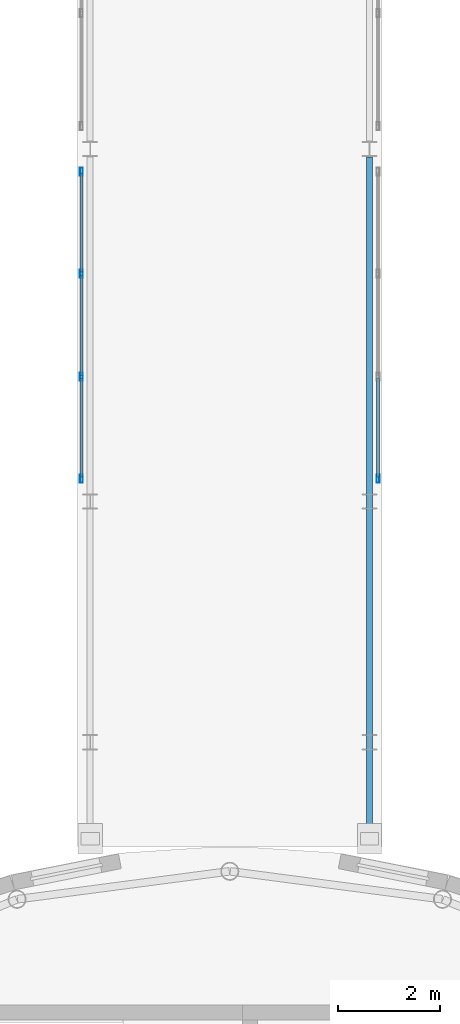
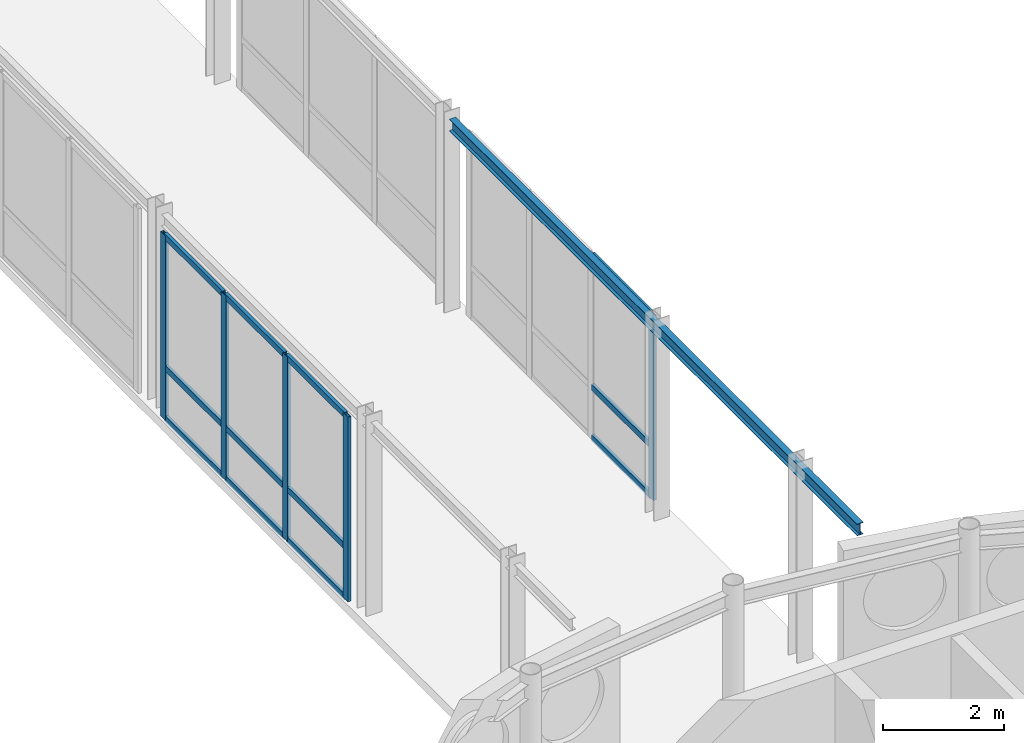
# One storey, part 58 of 165: 17 members, 1 beam, 2 elements without a shape of their own.
"""IFC4 building model written with IfcOpenShell, lengths in metres."""

from ifc_helpers import new_model, si_unit, direction, frame, origin, origin_2d, place, context, subcontext, project, spatial, hollow_rectangle, i_section, extrude, material, layer, layer_set, material_profile, profile_set, type_object, element, aggregate, save


model = new_model("IFC4")

# Units and contexts
model_context = context("Model", 3, precision=1e-05, world=origin(), true_north=direction((0.0, 1.0)))
body_context = subcontext(model_context, "Body", "Model", "MODEL_VIEW")
ifc_project = project(units=[si_unit("LENGTHUNIT", "METRE"), si_unit("AREAUNIT", "SQUARE_METRE"), si_unit("VOLUMEUNIT", "CUBIC_METRE"), si_unit("PLANEANGLEUNIT", "RADIAN"), si_unit("MASSUNIT", "GRAM", prefix="KILO")], contexts=[model_context])

# Site, building, storey
site_placement = place(None, origin())
site = spatial("IfcSite", under=ifc_project, at=site_placement, CompositionType="ELEMENT")
building_placement = place(site_placement, origin())
building = spatial("IfcBuilding", under=site, at=building_placement, Name="Montecoro Central Library", CompositionType="ELEMENT")
storey_placement = place(building_placement, frame((0.0, 0.0, 5.10009765625)))
storey = spatial("IfcBuildingStorey", under=building, at=storey_placement, Name="L01", CompositionType="ELEMENT", Elevation=5.10009765625)

# Beam
ifc_material_1 = material(Name="Steel S355", Category="steel")
ifc_material_profile_1 = material_profile(ifc_material_1, i_section(OverallWidth=0.1201171875, OverallDepth=0.239990234375, WebThickness=0.006103515625, FlangeThickness=0.009765625, at=origin_2d()), Name="IPE 240")
ifc_profile_set_1 = profile_set([ifc_material_profile_1], Name="Steel S355")
beam_type = type_object("IfcBeamType", Name="BM-SP-IPE240", PredefinedType="SPANDREL", material=ifc_profile_set_1)
beam_placement = place(storey_placement, frame((94.35009765625, 52.139892578125, 3.77490234375), z_axis=(0.0, 1.0, 0.0), x_axis=(-1.0, 0.0, 0.0)))
element("IfcBeam", 1, at=beam_placement, inside=storey, type_object=beam_type, Name="BR-N-L02-BM-E1", PredefinedType="SPANDREL", context=body_context, shape_type="SweptSolid", body=[
    extrude(i_section(OverallWidth=0.1201171875, OverallDepth=0.239990234375, WebThickness=0.006103515625, FlangeThickness=0.009765625, at=origin_2d()), origin(), (0.0, 0.0, 1.0), 13.5),
])

# Curtain wall, members
ifc_material_2 = material(Name="Bronze-anodised aluminium and low-E glazing", Category="aluminium")
ifc_layer = layer(ifc_material_2, 0.159912109375)
ifc_layer_set = layer_set([ifc_layer], Name="Bronze-anodised aluminium and low-E glazing")
curtain_wall_type = type_object("IfcCurtainWallType", Name="CWT-075", PredefinedType="NOTDEFINED", material=ifc_layer_set)
curtain_wall_1_placement = place(storey_placement, origin())
curtain_wall_1 = element("IfcCurtainWall", 2, at=curtain_wall_1_placement, inside=storey, type_object=curtain_wall_type, Name="BR-N-L01-CW-W1", PredefinedType="NOTDEFINED")
ifc_material_3 = material(Name="Bronze-anodised aluminium", Category="aluminium")
ifc_material_profile_2 = material_profile(ifc_material_3, hollow_rectangle(XDim=0.06005859375, YDim=0.159912109375, WallThickness=0.00390625, at=origin_2d()), Name="CWM 160x60x4.0")
ifc_profile_set_2 = profile_set([ifc_material_profile_2], Name="Bronze-anodised aluminium")
member_type_1 = type_object("IfcMemberType", Name="CWM-BRZ-60", PredefinedType="MULLION", material=ifc_profile_set_2)
member_1_placement = place(storey_placement, frame((88.679931640625, 59.31005859375, 0.0), z_axis=(0.0, 0.0, 1.0), x_axis=(-1.0, 0.0, 0.0)))
member_1 = element("IfcMember", 3, at=member_1_placement, type_object=member_type_1, Name="CW-075 mullion 1", PredefinedType="MULLION", context=body_context, shape_type="SweptSolid", body=[
    extrude(hollow_rectangle(XDim=0.06005859375, YDim=0.159912109375, WallThickness=0.00390625, at=origin_2d()), origin(), (0.0, 0.0, 1.0), 3.72998046875),
])
member_2_placement = place(storey_placement, frame((88.679931640625, 61.313232421875, 0.0), z_axis=(0.0, 0.0, 1.0), x_axis=(-1.0, 0.0, 0.0)))
member_2 = element("IfcMember", 4, at=member_2_placement, type_object=member_type_1, Name="CW-075 mullion 2", PredefinedType="MULLION", context=body_context, shape_type="SweptSolid", body=[
    extrude(hollow_rectangle(XDim=0.06005859375, YDim=0.159912109375, WallThickness=0.00390625, at=origin_2d()), origin(), (0.0, 0.0, 1.0), 3.72998046875),
])
member_3_placement = place(storey_placement, frame((88.679931640625, 63.3466796875, 0.0), z_axis=(0.0, 0.0, 1.0), x_axis=(-1.0, 0.0, 0.0)))
member_3 = element("IfcMember", 5, at=member_3_placement, type_object=member_type_1, Name="CW-075 mullion 3", PredefinedType="MULLION", context=body_context, shape_type="SweptSolid", body=[
    extrude(hollow_rectangle(XDim=0.06005859375, YDim=0.159912109375, WallThickness=0.00390625, at=origin_2d()), origin(), (0.0, 0.0, 1.0), 3.72998046875),
])
member_4_placement = place(storey_placement, frame((88.679931640625, 65.35009765625, 0.0), z_axis=(0.0, 0.0, 1.0), x_axis=(-1.0, 0.0, 0.0)))
member_4 = element("IfcMember", 6, at=member_4_placement, type_object=member_type_1, Name="CW-075 mullion 4", PredefinedType="MULLION", context=body_context, shape_type="SweptSolid", body=[
    extrude(hollow_rectangle(XDim=0.06005859375, YDim=0.159912109375, WallThickness=0.00390625, at=origin_2d()), origin(), (0.0, 0.0, 1.0), 3.72998046875),
])

# Curtain wall, member
curtain_wall_2_placement = place(storey_placement, origin())
curtain_wall_2 = element("IfcCurtainWall", 7, at=curtain_wall_2_placement, inside=storey, type_object=curtain_wall_type, Name="BR-N-L01-CW-E1", PredefinedType="NOTDEFINED")
member_5_placement = place(storey_placement, frame((94.52001953125, 59.31005859375, 0.0), z_axis=(0.0, 0.0, 1.0), x_axis=(-1.0, 0.0, 0.0)))
member_5 = element("IfcMember", 8, at=member_5_placement, type_object=member_type_1, Name="CW-075 mullion 1", PredefinedType="MULLION", context=body_context, shape_type="SweptSolid", body=[
    extrude(hollow_rectangle(XDim=0.06005859375, YDim=0.159912109375, WallThickness=0.00390625, at=origin_2d()), origin(), (0.0, 0.0, 1.0), 3.72998046875),
])

# Member
ifc_material_profile_3 = material_profile(ifc_material_3, hollow_rectangle(XDim=0.06005859375, YDim=0.1201171875, WallThickness=0.00390625, at=origin_2d()), Name="CWT 120x60x4.0")
ifc_profile_set_3 = profile_set([ifc_material_profile_3], Name="Bronze-anodised aluminium")
member_type_2 = type_object("IfcMemberType", Name="CWT-BRZ-60", PredefinedType="USERDEFINED", material=ifc_profile_set_3)
member_6_placement = place(storey_placement, frame((88.679931640625, 59.340087890625, 0.02978515625), z_axis=(0.0, 1.0, 0.0), x_axis=(-1.0, 0.0, 0.0)))
member_6 = element("IfcMember", 9, at=member_6_placement, type_object=member_type_2, Name="CW-075 transom 1.1", ObjectType="TRANSOM", PredefinedType="USERDEFINED", context=body_context, shape_type="SweptSolid", body=[
    extrude(hollow_rectangle(XDim=0.06005859375, YDim=0.1201171875, WallThickness=0.00390625, at=origin_2d()), origin(), (0.0, 0.0, 1.0), 1.943359375),
])

member_7_placement = place(storey_placement, frame((88.679931640625, 59.340087890625, 1.0498046875), z_axis=(0.0, 1.0, 0.0), x_axis=(-1.0, 0.0, 0.0)))
member_7 = element("IfcMember", 10, at=member_7_placement, type_object=member_type_2, Name="CW-075 transom 1.2", ObjectType="TRANSOM", PredefinedType="USERDEFINED", context=body_context, shape_type="SweptSolid", body=[
    extrude(hollow_rectangle(XDim=0.06005859375, YDim=0.1201171875, WallThickness=0.00390625, at=origin_2d()), origin(), (0.0, 0.0, 1.0), 1.943359375),
])

member_8_placement = place(storey_placement, frame((88.679931640625, 59.340087890625, 3.699951171875), z_axis=(0.0, 1.0, 0.0), x_axis=(-1.0, 0.0, 0.0)))
member_8 = element("IfcMember", 11, at=member_8_placement, type_object=member_type_2, Name="CW-075 transom 1.3", ObjectType="TRANSOM", PredefinedType="USERDEFINED", context=body_context, shape_type="SweptSolid", body=[
    extrude(hollow_rectangle(XDim=0.06005859375, YDim=0.1201171875, WallThickness=0.00390625, at=origin_2d()), origin(), (0.0, 0.0, 1.0), 1.943359375),
])

member_9_placement = place(storey_placement, frame((88.679931640625, 61.34326171875, 0.02978515625), z_axis=(0.0, 1.0, 0.0), x_axis=(-1.0, 0.0, 0.0)))
member_9 = element("IfcMember", 12, at=member_9_placement, type_object=member_type_2, Name="CW-075 transom 2.1", ObjectType="TRANSOM", PredefinedType="USERDEFINED", context=body_context, shape_type="SweptSolid", body=[
    extrude(hollow_rectangle(XDim=0.06005859375, YDim=0.1201171875, WallThickness=0.00390625, at=origin_2d()), origin(), (0.0, 0.0, 1.0), 1.973388671875),
])

member_10_placement = place(storey_placement, frame((88.679931640625, 61.34326171875, 1.0498046875), z_axis=(0.0, 1.0, 0.0), x_axis=(-1.0, 0.0, 0.0)))
member_10 = element("IfcMember", 13, at=member_10_placement, type_object=member_type_2, Name="CW-075 transom 2.2", ObjectType="TRANSOM", PredefinedType="USERDEFINED", context=body_context, shape_type="SweptSolid", body=[
    extrude(hollow_rectangle(XDim=0.06005859375, YDim=0.1201171875, WallThickness=0.00390625, at=origin_2d()), origin(), (0.0, 0.0, 1.0), 1.973388671875),
])

member_11_placement = place(storey_placement, frame((88.679931640625, 61.34326171875, 3.699951171875), z_axis=(0.0, 1.0, 0.0), x_axis=(-1.0, 0.0, 0.0)))
member_11 = element("IfcMember", 14, at=member_11_placement, type_object=member_type_2, Name="CW-075 transom 2.3", ObjectType="TRANSOM", PredefinedType="USERDEFINED", context=body_context, shape_type="SweptSolid", body=[
    extrude(hollow_rectangle(XDim=0.06005859375, YDim=0.1201171875, WallThickness=0.00390625, at=origin_2d()), origin(), (0.0, 0.0, 1.0), 1.973388671875),
])

member_12_placement = place(storey_placement, frame((88.679931640625, 63.376708984375, 0.02978515625), z_axis=(0.0, 1.0, 0.0), x_axis=(-1.0, 0.0, 0.0)))
member_12 = element("IfcMember", 15, at=member_12_placement, type_object=member_type_2, Name="CW-075 transom 3.1", ObjectType="TRANSOM", PredefinedType="USERDEFINED", context=body_context, shape_type="SweptSolid", body=[
    extrude(hollow_rectangle(XDim=0.06005859375, YDim=0.1201171875, WallThickness=0.00390625, at=origin_2d()), origin(), (0.0, 0.0, 1.0), 1.943359375),
])

member_13_placement = place(storey_placement, frame((88.679931640625, 63.376708984375, 1.0498046875), z_axis=(0.0, 1.0, 0.0), x_axis=(-1.0, 0.0, 0.0)))
member_13 = element("IfcMember", 16, at=member_13_placement, type_object=member_type_2, Name="CW-075 transom 3.2", ObjectType="TRANSOM", PredefinedType="USERDEFINED", context=body_context, shape_type="SweptSolid", body=[
    extrude(hollow_rectangle(XDim=0.06005859375, YDim=0.1201171875, WallThickness=0.00390625, at=origin_2d()), origin(), (0.0, 0.0, 1.0), 1.943359375),
])

member_14_placement = place(storey_placement, frame((88.679931640625, 63.376708984375, 3.699951171875), z_axis=(0.0, 1.0, 0.0), x_axis=(-1.0, 0.0, 0.0)))
member_14 = element("IfcMember", 17, at=member_14_placement, type_object=member_type_2, Name="CW-075 transom 3.3", ObjectType="TRANSOM", PredefinedType="USERDEFINED", context=body_context, shape_type="SweptSolid", body=[
    extrude(hollow_rectangle(XDim=0.06005859375, YDim=0.1201171875, WallThickness=0.00390625, at=origin_2d()), origin(), (0.0, 0.0, 1.0), 1.943359375),
])

aggregate(curtain_wall_1, [member_1, member_2, member_3, member_4, member_6, member_7, member_8, member_9, member_10, member_11, member_12, member_13, member_14])

member_15_placement = place(storey_placement, frame((94.52001953125, 59.340087890625, 0.02978515625), z_axis=(0.0, 1.0, 0.0), x_axis=(-1.0, 0.0, 0.0)))
member_15 = element("IfcMember", 18, at=member_15_placement, type_object=member_type_2, Name="CW-075 transom 1.1", ObjectType="TRANSOM", PredefinedType="USERDEFINED", context=body_context, shape_type="SweptSolid", body=[
    extrude(hollow_rectangle(XDim=0.06005859375, YDim=0.1201171875, WallThickness=0.00390625, at=origin_2d()), origin(), (0.0, 0.0, 1.0), 1.943359375),
])

member_16_placement = place(storey_placement, frame((94.52001953125, 59.340087890625, 1.0498046875), z_axis=(0.0, 1.0, 0.0), x_axis=(-1.0, 0.0, 0.0)))
member_16 = element("IfcMember", 19, at=member_16_placement, type_object=member_type_2, Name="CW-075 transom 1.2", ObjectType="TRANSOM", PredefinedType="USERDEFINED", context=body_context, shape_type="SweptSolid", body=[
    extrude(hollow_rectangle(XDim=0.06005859375, YDim=0.1201171875, WallThickness=0.00390625, at=origin_2d()), origin(), (0.0, 0.0, 1.0), 1.943359375),
])

member_17_placement = place(storey_placement, frame((94.52001953125, 59.340087890625, 3.699951171875), z_axis=(0.0, 1.0, 0.0), x_axis=(-1.0, 0.0, 0.0)))
member_17 = element("IfcMember", 20, at=member_17_placement, type_object=member_type_2, Name="CW-075 transom 1.3", ObjectType="TRANSOM", PredefinedType="USERDEFINED", context=body_context, shape_type="SweptSolid", body=[
    extrude(hollow_rectangle(XDim=0.06005859375, YDim=0.1201171875, WallThickness=0.00390625, at=origin_2d()), origin(), (0.0, 0.0, 1.0), 1.943359375),
])

aggregate(curtain_wall_2, [member_5, member_15, member_16, member_17])

save(model, "model.ifc")
